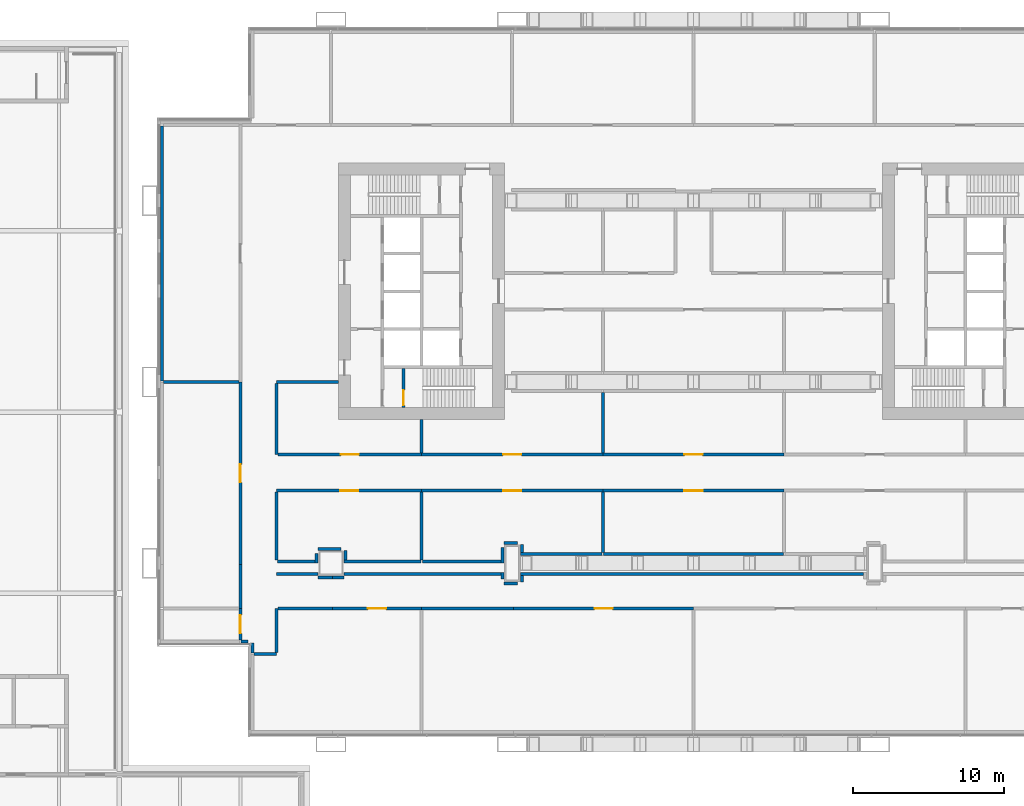
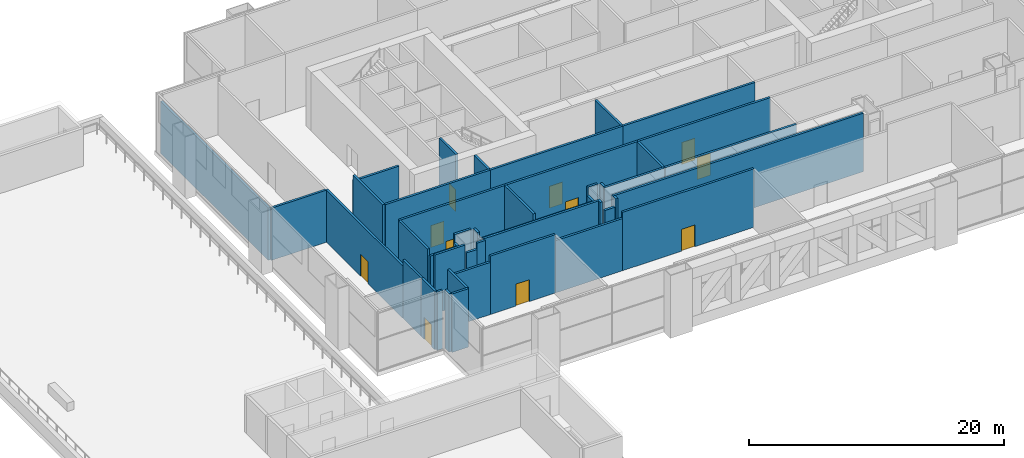
# One storey, part 21 of 27: 46 walls, 11 doors, 11 openings.
"""IFC4 building model written with IfcOpenShell, lengths in metres."""

import ifcopenshell
import ifcopenshell.guid

model = None  # the IFC model being written
_history = None  # IfcOwnerHistory: only IFC2X3 demands one
_inside = {}  # id of a spatial element -> (the spatial element, [elements in it])
_under = {}  # id of a project, library or spatial element -> (it, [spatial elements below it])
_declared = {}  # id of a project -> (the project, [libraries it declares])
_typed = {}  # id of a type object -> (the type object, [elements of that type])
_made_of = {}  # id of a material, layer set ... -> (it, [elements and type objects made of it])


def new_model(schema):
    """Start an empty IFC model of exactly this schema.

    Asked for "IFC4X3", IfcOpenShell would pick the latest addendum, in which some entities
    have other attributes; the version numbers below select the first issue.
    IFC2X3 requires an IfcOwnerHistory on every rooted entity: one is made here for all.
    """
    global model, _history
    if schema == "IFC4X3":
        model = ifcopenshell.file(schema_version=(4, 3, 0, 0))
    else:
        model = ifcopenshell.file(schema=schema)
    _inside.clear()
    _under.clear()
    _declared.clear()
    _typed.clear()
    _made_of.clear()
    _history = None
    if model.schema == "IFC2X3":
        org = make("IfcOrganization", Name="unknown")
        user = make(
            "IfcPersonAndOrganization",
            ThePerson=make("IfcPerson", FamilyName="unknown"),
            TheOrganization=org,
        )
        app = make(
            "IfcApplication",
            ApplicationDeveloper=org,
            Version="unknown",
            ApplicationFullName="unknown",
            ApplicationIdentifier="unknown",
        )
        _history = make(
            "IfcOwnerHistory",
            OwningUser=user,
            OwningApplication=app,
            ChangeAction="ADDED",
            CreationDate=0,
        )
    return model


def make(cls, **values):
    """One entity of the class cls with the attributes given. An attribute that is None is left unset."""
    return model.create_entity(
        cls, **{name: value for name, value in values.items() if value is not None}
    )


def rooted(cls, **values):
    """An entity with a GlobalId (a new one), such as an element, a storey or a relation."""
    return make(cls, GlobalId=ifcopenshell.guid.new(), OwnerHistory=_history, **values)


def si_unit(unit_type, name, prefix=None):
    """IfcSIUnit, for example si_unit("LENGTHUNIT", "METRE", prefix="MILLI")."""
    return make("IfcSIUnit", UnitType=unit_type, Prefix=prefix, Name=name)


def assignment(units):
    """IfcUnitAssignment: the units of a project."""
    return None if units is None else make("IfcUnitAssignment", Units=units)


def point(xyz):
    """IfcCartesianPoint."""
    return None if xyz is None else make("IfcCartesianPoint", Coordinates=xyz)


def direction(xyz):
    """IfcDirection."""
    return None if xyz is None else make("IfcDirection", DirectionRatios=xyz)


def frame(location, z_axis=None, x_axis=None):
    """IfcAxis2Placement3D, a coordinate frame: its origin and axes. An axis left out is left unset."""
    return make(
        "IfcAxis2Placement3D",
        Location=point(location),
        Axis=direction(z_axis),
        RefDirection=direction(x_axis),
    )


def frame_2d(location, x_axis=None):
    """IfcAxis2Placement2D, a coordinate frame in the plane: its origin and x axis."""
    return make(
        "IfcAxis2Placement2D", Location=point(location), RefDirection=direction(x_axis)
    )


def origin():
    """The frame at (0, 0, 0) with its axes left unset."""
    return frame((0.0, 0.0, 0.0))


def place(relative_to, where):
    """IfcLocalPlacement: puts the frame where relative to a parent placement (None: the world)."""
    return make(
        "IfcLocalPlacement", PlacementRelTo=relative_to, RelativePlacement=where
    )


def context(
    kind, dimensions, precision=None, world=None, true_north=None, identifier=None
):
    """IfcGeometricRepresentationContext, for example the 3D "Model" context."""
    return make(
        "IfcGeometricRepresentationContext",
        ContextIdentifier=identifier,
        ContextType=kind,
        CoordinateSpaceDimension=dimensions,
        Precision=precision,
        WorldCoordinateSystem=world,
        TrueNorth=true_north,
    )


def subcontext(parent, identifier, kind, view, scale=None):
    """IfcGeometricRepresentationSubContext, for example "Body" below "Model"."""
    return make(
        "IfcGeometricRepresentationSubContext",
        ContextIdentifier=identifier,
        ContextType=kind,
        ParentContext=parent,
        TargetScale=scale,
        TargetView=view,
    )


def project(units=None, contexts=None):
    """IfcProject with its units and contexts."""
    return rooted(
        "IfcProject",
        Name="project",
        RepresentationContexts=contexts,
        UnitsInContext=assignment(units),
    )


def spatial(cls, under=None, at=None, **own):
    """A site, building, storey or space (cls), placed at a placement, below another one or the project."""
    s = rooted(cls, ObjectPlacement=at, **own)
    if under is not None:
        _under.setdefault(under.id(), (under, []))[1].append(s)
    return s


def profile(cls, at=None, kind="AREA", **sizes):
    """A parametric profile (cls). Its sizes go by their IFC names, for example OverallWidth=200.0."""
    return make(cls, ProfileType=kind, Position=at, **sizes)


def rectangle(**sizes):
    """IfcRectangleProfileDef."""
    return profile("IfcRectangleProfileDef", **sizes)


def extrude(swept, where, along, depth):
    """IfcExtrudedAreaSolid: the profile swept, set in the frame where, extruded along a direction by depth."""
    return make(
        "IfcExtrudedAreaSolid",
        SweptArea=swept,
        Position=where,
        ExtrudedDirection=direction(along),
        Depth=depth,
    )


def shape(context_of_items, identifier, shape_type, items):
    """IfcShapeRepresentation: the items that make up one representation, for example the "Body"."""
    return make(
        "IfcShapeRepresentation",
        ContextOfItems=context_of_items,
        RepresentationIdentifier=identifier,
        RepresentationType=shape_type,
        Items=items,
    )


def material(Name=None, Category=None):
    """IfcMaterial."""
    return make("IfcMaterial", Name=Name, Category=Category)


def layer(
    of_material, thickness, ventilated=None, Name=None, Category=None, Priority=None
):
    """IfcMaterialLayer: one layer of a wall or slab, of a material (None: an air gap)."""
    return make(
        "IfcMaterialLayer",
        Material=of_material,
        LayerThickness=thickness,
        IsVentilated=ventilated,
        Name=Name,
        Category=Category,
        Priority=Priority,
    )


def layer_set(layers, Name=None):
    """IfcMaterialLayerSet."""
    return make("IfcMaterialLayerSet", MaterialLayers=layers, LayerSetName=Name)


def made_of(thing, what):
    """Note that an element or type object is made of a material, layer set ...; save() writes the relation."""
    if what is not None:
        _made_of.setdefault(what.id(), (what, []))[1].append(thing)
    return thing


def type_object(cls, material=None, **own):
    """A type object (cls), such as IfcWallType, which elements share."""
    return made_of(rooted(cls, **own), material)


def element(
    cls,
    number,
    at=None,
    inside=None,
    cuts=None,
    type_object=None,
    material=None,
    context=None,
    identifier="Body",
    shape_type=None,
    held_by="IfcProductDefinitionShape",
    body=None,
    shapes=None,
    **own,
):
    """One element of the class cls, such as IfcWall. Its Tag is "e" and its number.

    at: its placement. inside: the storey or other place that contains it. cuts: it is an
    opening in that element (IfcRelVoidsElement). A single representation is given by context,
    identifier, shape_type and body (its items); several are given by shapes. held_by: the class
    of the entity that holds the representations. save() writes the other relations.
    """
    e = rooted(cls, Tag="e%d" % number, ObjectPlacement=at, **own)
    if body is not None:
        shapes = [shape(context, identifier, shape_type, body)]
    if shapes is not None:
        e.Representation = make(held_by, Representations=shapes)
    if inside is not None:
        _inside.setdefault(inside.id(), (inside, []))[1].append(e)
    if cuts is not None:
        rooted(
            "IfcRelVoidsElement", RelatingBuildingElement=cuts, RelatedOpeningElement=e
        )
    if type_object is not None:
        _typed.setdefault(type_object.id(), (type_object, []))[1].append(e)
    return made_of(e, material)


def fill(opening, filler):
    """IfcRelFillsElement: the door or window that sits in an opening."""
    return rooted(
        "IfcRelFillsElement",
        RelatingOpeningElement=opening,
        RelatedBuildingElement=filler,
    )


def aggregate(whole, parts):
    """IfcRelAggregates: a whole, such as a stair, and the parts it consists of."""
    return rooted("IfcRelAggregates", RelatingObject=whole, RelatedObjects=parts)


def save(model, path):
    """Write the relations noted so far, then the file.

    IfcRelAggregates (storeys below a building ...), IfcRelContainedInSpatialStructure (elements
    in a storey), IfcRelDefinesByType, IfcRelAssociatesMaterial and IfcRelDeclares: one each for
    every whole, place, type object, material and project.
    """
    for whole, parts in _under.values():
        aggregate(whole, parts)
    for where, things in _inside.values():
        rooted(
            "IfcRelContainedInSpatialStructure",
            RelatedElements=things,
            RelatingStructure=where,
        )
    for kind, things in _typed.values():
        rooted("IfcRelDefinesByType", RelatedObjects=things, RelatingType=kind)
    for what, things in _made_of.values():
        rooted("IfcRelAssociatesMaterial", RelatedObjects=things, RelatingMaterial=what)
    for by, libraries in _declared.values():
        rooted("IfcRelDeclares", RelatingContext=by, RelatedDefinitions=libraries)
    model.write(path)


model = new_model("IFC4")

# Units and contexts
model_context = context("Model", 3, precision=1e-05, world=origin(), true_north=direction((0.0, 1.0)))
body_context = subcontext(model_context, "Body", "Model", "MODEL_VIEW")
ifc_project = project(units=[si_unit("LENGTHUNIT", "METRE"), si_unit("AREAUNIT", "SQUARE_METRE"), si_unit("VOLUMEUNIT", "CUBIC_METRE"), si_unit("PLANEANGLEUNIT", "RADIAN"), si_unit("MASSUNIT", "GRAM", prefix="KILO")], contexts=[model_context])

# Site, building, storey
site_placement = place(None, origin())
site = spatial("IfcSite", under=ifc_project, at=site_placement, CompositionType="ELEMENT")
building_placement = place(site_placement, origin())
building = spatial("IfcBuilding", under=site, at=building_placement, Name="Kitamizu Gate Tower and Museum", CompositionType="ELEMENT")
storey_placement = place(building_placement, frame((0.0, 0.0, 24.0)))
storey = spatial("IfcBuildingStorey", under=building, at=storey_placement, Name="L04", CompositionType="ELEMENT", Elevation=24.0)

# Wall, opening, door
ifc_material_1 = material(Name="Gypsum board on galvanised stud")
ifc_layer_1 = layer(ifc_material_1, 0.199951171875)
ifc_layer_set_1 = layer_set([ifc_layer_1], Name="Gypsum board on galvanised stud")
wall_type_1 = type_object("IfcWallType", Name="Partition 200", PredefinedType="PARTITIONING", material=ifc_layer_set_1)
wall_1_placement = place(storey_placement, frame((6.0, 24.0, 0.0), z_axis=(0.0, 0.0, 1.0), x_axis=(0.0, -1.0, 0.0)))
wall_1 = element("IfcWall", 1, at=wall_1_placement, inside=storey, type_object=wall_type_1, Name="Partition L04-001", PredefinedType="PARTITIONING", context=body_context, shape_type="SweptSolid", body=[
    extrude(rectangle(XDim=12.10009765625, YDim=0.199951171875, at=frame_2d((6.050048828125, 0.0))), origin(), (0.0, 0.0, 1.0), 5.0),
])
opening_1_placement = place(wall_1_placement, frame((5.449951171875, 0.0, 0.0)))
opening_1 = element("IfcOpeningElement", 2, at=opening_1_placement, cuts=wall_1, Name="Opening L04-001", PredefinedType="OPENING", context=body_context, shape_type="SweptSolid", body=[
    extrude(rectangle(XDim=1.199951171875, YDim=2.10009765625, at=frame_2d((0.60009765625, 1.050048828125))), frame((0.0, 0.10986328125, 0.0), z_axis=(0.0, -1.0, 0.0), x_axis=(1.0, 0.0, 0.0)), (0.0, 0.0, 1.0), 0.219970703125),
])
ifc_material_2 = material(Name="Timber door set", Category="wood")
door_type_1 = type_object("IfcDoorType", Name="Plant room door 1200", OperationType="DOUBLE_DOOR_SINGLE_SWING", PredefinedType="DOOR", material=ifc_material_2)
door_1_placement = place(opening_1_placement, origin())
door_1 = element("IfcDoor", 3, at=door_1_placement, inside=storey, type_object=door_type_1, Name="Plant room door L04-001", OperationType="DOUBLE_DOOR_SINGLE_SWING", OverallHeight=2.10009765625, OverallWidth=1.199951171875, PredefinedType="DOOR", context=body_context, shape_type="SweptSolid", body=[
    extrude(rectangle(XDim=1.199951171875, YDim=2.10009765625, at=frame_2d((0.60009765625, 1.050048828125))), frame((0.0, 0.02490234375, 0.0), z_axis=(0.0, -1.0, 0.0), x_axis=(1.0, 0.0, 0.0)), (0.0, 0.0, 1.0), 0.050048828125),
])
fill(opening_1, door_1)

# Walls
wall_2_placement = place(storey_placement, frame((6.0, 11.89990234375, 0.0), z_axis=(0.0, 0.0, 1.0), x_axis=(0.0, -1.0, 0.0)))
element("IfcWall", 4, at=wall_2_placement, inside=storey, type_object=wall_type_1, Name="Partition L04-002", PredefinedType="PARTITIONING", context=body_context, shape_type="SweptSolid", body=[
    extrude(rectangle(XDim=2.89990234375, YDim=0.199951171875, at=frame_2d((1.449951171875, 0.0))), origin(), (0.0, 0.0, 1.0), 5.60009765625),
])
wall_3_placement = place(storey_placement, frame((6.919921875, 6.0, 0.0), z_axis=(0.0, 0.0, 1.0), x_axis=(1.0, 0.0, 0.0)))
element("IfcWall", 5, at=wall_3_placement, inside=storey, type_object=wall_type_1, Name="Partition L04-007", PredefinedType="PARTITIONING", context=body_context, shape_type="SweptSolid", body=[
    extrude(rectangle(XDim=1.47998046875, YDim=0.199951171875, at=frame_2d((0.739990234375, 0.0))), origin(), (0.0, 0.0, 1.0), 5.60009765625),
])
wall_4_placement = place(storey_placement, frame((8.39990234375, 6.10009765625, 0.0), z_axis=(0.0, 0.0, 1.0), x_axis=(0.0, 1.0, 0.0)))
element("IfcWall", 6, at=wall_4_placement, inside=storey, type_object=wall_type_1, Name="Partition L04-008", PredefinedType="PARTITIONING", context=body_context, shape_type="SweptSolid", body=[
    extrude(rectangle(XDim=2.89990234375, YDim=0.199951171875, at=frame_2d((1.449951171875, 0.0))), origin(), (0.0, 0.0, 1.0), 5.60009765625),
])
wall_5_placement = place(storey_placement, frame((8.5, 9.0, 0.0), z_axis=(0.0, 0.0, 1.0), x_axis=(1.0, 0.0, 0.0)))
element("IfcWall", 7, at=wall_5_placement, inside=storey, type_object=wall_type_1, Name="Partition L04-009", PredefinedType="PARTITIONING", context=body_context, shape_type="SweptSolid", body=[
    extrude(rectangle(XDim=3.60009765625, YDim=0.199951171875, at=frame_2d((1.800048828125, 0.0))), origin(), (0.0, 0.0, 1.0), 5.0),
])

# Wall, opening, door
wall_6_placement = place(storey_placement, frame((12.10009765625, 9.0, 0.0), z_axis=(0.0, 0.0, 1.0), x_axis=(1.0, 0.0, 0.0)))
wall_6 = element("IfcWall", 8, at=wall_6_placement, inside=storey, type_object=wall_type_1, Name="Partition L04-010", PredefinedType="PARTITIONING", context=body_context, shape_type="SweptSolid", body=[
    extrude(rectangle(XDim=5.89990234375, YDim=0.199951171875, at=frame_2d((2.949951171875, 0.0))), origin(), (0.0, 0.0, 1.0), 5.60009765625),
])
opening_2_placement = place(wall_6_placement, frame((2.35009765625, 0.0, 0.0)))
opening_2 = element("IfcOpeningElement", 9, at=opening_2_placement, cuts=wall_6, Name="Opening L04-005", PredefinedType="OPENING", context=body_context, shape_type="SweptSolid", body=[
    extrude(rectangle(XDim=1.199951171875, YDim=2.10009765625, at=frame_2d((0.60009765625, 1.050048828125))), frame((0.0, 0.10986328125, 0.0), z_axis=(0.0, -1.0, 0.0), x_axis=(1.0, 0.0, 0.0)), (0.0, 0.0, 1.0), 0.219970703125),
])
door_2_placement = place(opening_2_placement, origin())
door_2 = element("IfcDoor", 10, at=door_2_placement, inside=storey, type_object=door_type_1, Name="Plant room door L04-005", OperationType="DOUBLE_DOOR_SINGLE_SWING", OverallHeight=2.10009765625, OverallWidth=1.199951171875, PredefinedType="DOOR", context=body_context, shape_type="SweptSolid", body=[
    extrude(rectangle(XDim=1.199951171875, YDim=2.10009765625, at=frame_2d((0.60009765625, 1.050048828125))), frame((0.0, 0.02490234375, 0.0), z_axis=(0.0, -1.0, 0.0), x_axis=(1.0, 0.0, 0.0)), (0.0, 0.0, 1.0), 0.050048828125),
])
fill(opening_2, door_2)

wall_7_placement = place(storey_placement, frame((6.0, 9.0, 0.0), z_axis=(0.0, 0.0, 1.0), x_axis=(0.0, -1.0, 0.0)))
wall_7 = element("IfcWall", 11, at=wall_7_placement, inside=storey, type_object=wall_type_1, Name="Partition L04-011", PredefinedType="PARTITIONING", context=body_context, shape_type="SweptSolid", body=[
    extrude(rectangle(XDim=2.080078125, YDim=0.199951171875, at=frame_2d((1.0400390625, 0.0))), origin(), (0.0, 0.0, 1.0), 5.60009765625),
])
opening_3_placement = place(wall_7_placement, frame((0.43994140625, 0.0, 0.0)))
opening_3 = element("IfcOpeningElement", 12, at=opening_3_placement, cuts=wall_7, Name="Opening L04-006", PredefinedType="OPENING", context=body_context, shape_type="SweptSolid", body=[
    extrude(rectangle(XDim=1.199951171875, YDim=2.10009765625, at=frame_2d((0.60009765625, 1.050048828125))), frame((0.0, 0.10986328125, 0.0), z_axis=(0.0, -1.0, 0.0), x_axis=(1.0, 0.0, 0.0)), (0.0, 0.0, 1.0), 0.219970703125),
])
door_3_placement = place(opening_3_placement, origin())
door_3 = element("IfcDoor", 13, at=door_3_placement, inside=storey, type_object=door_type_1, Name="Plant room door L04-006", OperationType="DOUBLE_DOOR_SINGLE_SWING", OverallHeight=2.10009765625, OverallWidth=1.199951171875, PredefinedType="DOOR", context=body_context, shape_type="SweptSolid", body=[
    extrude(rectangle(XDim=1.199951171875, YDim=2.10009765625, at=frame_2d((0.60009765625, 1.050048828125))), frame((0.0, 0.02490234375, 0.0), z_axis=(0.0, -1.0, 0.0), x_axis=(1.0, 0.0, 0.0)), (0.0, 0.0, 1.0), 0.050048828125),
])
fill(opening_3, door_3)

# Wall
wall_8_placement = place(storey_placement, frame((18.0, 9.0, 0.0), z_axis=(0.0, 0.0, 1.0), x_axis=(1.0, 0.0, 0.0)))
element("IfcWall", 14, at=wall_8_placement, inside=storey, type_object=wall_type_1, Name="Partition L04-012", PredefinedType="PARTITIONING", context=body_context, shape_type="SweptSolid", body=[
    extrude(rectangle(XDim=6.10009765625, YDim=0.199951171875, at=frame_2d((3.050048828125, 0.0))), origin(), (0.0, 0.0, 1.0), 5.0),
])

# Wall, opening, door
wall_9_placement = place(storey_placement, frame((24.10009765625, 9.0, 0.0), z_axis=(0.0, 0.0, 1.0), x_axis=(1.0, 0.0, 0.0)))
wall_9 = element("IfcWall", 15, at=wall_9_placement, inside=storey, type_object=wall_type_1, Name="Partition L04-013", PredefinedType="PARTITIONING", context=body_context, shape_type="SweptSolid", body=[
    extrude(rectangle(XDim=11.89990234375, YDim=0.199951171875, at=frame_2d((5.949951171875, 0.0))), origin(), (0.0, 0.0, 1.0), 5.60009765625),
])
opening_4_placement = place(wall_9_placement, frame((5.35009765625, 0.0, 0.0)))
opening_4 = element("IfcOpeningElement", 16, at=opening_4_placement, cuts=wall_9, Name="Opening L04-007", PredefinedType="OPENING", context=body_context, shape_type="SweptSolid", body=[
    extrude(rectangle(XDim=1.199951171875, YDim=2.10009765625, at=frame_2d((0.60009765625, 1.050048828125))), frame((0.0, 0.10986328125, 0.0), z_axis=(0.0, -1.0, 0.0), x_axis=(1.0, 0.0, 0.0)), (0.0, 0.0, 1.0), 0.219970703125),
])
door_4_placement = place(opening_4_placement, origin())
door_4 = element("IfcDoor", 17, at=door_4_placement, inside=storey, type_object=door_type_1, Name="Plant room door L04-007", OperationType="DOUBLE_DOOR_SINGLE_SWING", OverallHeight=2.10009765625, OverallWidth=1.199951171875, PredefinedType="DOOR", context=body_context, shape_type="SweptSolid", body=[
    extrude(rectangle(XDim=1.199951171875, YDim=2.10009765625, at=frame_2d((0.60009765625, 1.050048828125))), frame((0.0, 0.02490234375, 0.0), z_axis=(0.0, -1.0, 0.0), x_axis=(1.0, 0.0, 0.0)), (0.0, 0.0, 1.0), 0.050048828125),
])
fill(opening_4, door_4)

wall_10_placement = place(storey_placement, frame((18.0, 16.800048828125, 0.0), z_axis=(0.0, 0.0, 1.0), x_axis=(-1.0, 0.0, 0.0)))
wall_10 = element("IfcWall", 18, at=wall_10_placement, inside=storey, type_object=wall_type_1, Name="Partition L04-021", PredefinedType="PARTITIONING", context=body_context, shape_type="SweptSolid", body=[
    extrude(rectangle(XDim=9.60009765625, YDim=0.199951171875, at=frame_2d((4.800048828125, 0.0))), origin(), (0.0, 0.0, 1.0), 5.60009765625),
])
opening_5_placement = place(wall_10_placement, frame((4.199951171875, 0.0, 0.0)))
opening_5 = element("IfcOpeningElement", 19, at=opening_5_placement, cuts=wall_10, Name="Opening L04-011", PredefinedType="OPENING", context=body_context, shape_type="SweptSolid", body=[
    extrude(rectangle(XDim=1.199951171875, YDim=2.10009765625, at=frame_2d((0.60009765625, 1.050048828125))), frame((0.0, 0.10986328125, 0.0), z_axis=(0.0, -1.0, 0.0), x_axis=(1.0, 0.0, 0.0)), (0.0, 0.0, 1.0), 0.219970703125),
])
door_5_placement = place(opening_5_placement, origin())
door_5 = element("IfcDoor", 20, at=door_5_placement, inside=storey, type_object=door_type_1, Name="Plant room door L04-011", OperationType="DOUBLE_DOOR_SINGLE_SWING", OverallHeight=2.10009765625, OverallWidth=1.199951171875, PredefinedType="DOOR", context=body_context, shape_type="SweptSolid", body=[
    extrude(rectangle(XDim=1.199951171875, YDim=2.10009765625, at=frame_2d((0.60009765625, 1.050048828125))), frame((0.0, 0.02490234375, 0.0), z_axis=(0.0, -1.0, 0.0), x_axis=(1.0, 0.0, 0.0)), (0.0, 0.0, 1.0), 0.050048828125),
])
fill(opening_5, door_5)

# Wall
wall_11_placement = place(storey_placement, frame((8.39990234375, 16.699951171875, 0.0), z_axis=(0.0, 0.0, 1.0), x_axis=(0.0, -1.0, 0.0)))
element("IfcWall", 21, at=wall_11_placement, inside=storey, type_object=wall_type_1, Name="Partition L04-022", PredefinedType="PARTITIONING", context=body_context, shape_type="SweptSolid", body=[
    extrude(rectangle(XDim=4.5, YDim=0.199951171875, at=frame_2d((2.25, 0.0))), origin(), (0.0, 0.0, 1.0), 5.60009765625),
])

# Wall, opening, door
wall_12_placement = place(storey_placement, frame((30.0, 16.800048828125, 0.0), z_axis=(0.0, 0.0, 1.0), x_axis=(-1.0, 0.0, 0.0)))
wall_12 = element("IfcWall", 22, at=wall_12_placement, inside=storey, type_object=wall_type_1, Name="Partition L04-023", PredefinedType="PARTITIONING", context=body_context, shape_type="SweptSolid", body=[
    extrude(rectangle(XDim=12.0, YDim=0.199951171875, at=frame_2d((6.0, 0.0))), origin(), (0.0, 0.0, 1.0), 5.60009765625),
])
opening_6_placement = place(wall_12_placement, frame((5.39990234375, 0.0, 0.0)))
opening_6 = element("IfcOpeningElement", 23, at=opening_6_placement, cuts=wall_12, Name="Opening L04-012", PredefinedType="OPENING", context=body_context, shape_type="SweptSolid", body=[
    extrude(rectangle(XDim=1.199951171875, YDim=2.10009765625, at=frame_2d((0.60009765625, 1.050048828125))), frame((0.0, 0.10986328125, 0.0), z_axis=(0.0, -1.0, 0.0), x_axis=(1.0, 0.0, 0.0)), (0.0, 0.0, 1.0), 0.219970703125),
])
door_6_placement = place(opening_6_placement, origin())
door_6 = element("IfcDoor", 24, at=door_6_placement, inside=storey, type_object=door_type_1, Name="Plant room door L04-012", OperationType="DOUBLE_DOOR_SINGLE_SWING", OverallHeight=2.10009765625, OverallWidth=1.199951171875, PredefinedType="DOOR", context=body_context, shape_type="SweptSolid", body=[
    extrude(rectangle(XDim=1.199951171875, YDim=2.10009765625, at=frame_2d((0.60009765625, 1.050048828125))), frame((0.0, 0.02490234375, 0.0), z_axis=(0.0, -1.0, 0.0), x_axis=(1.0, 0.0, 0.0)), (0.0, 0.0, 1.0), 0.050048828125),
])
fill(opening_6, door_6)

wall_13_placement = place(storey_placement, frame((42.0, 16.800048828125, 0.0), z_axis=(0.0, 0.0, 1.0), x_axis=(-1.0, 0.0, 0.0)))
wall_13 = element("IfcWall", 25, at=wall_13_placement, inside=storey, type_object=wall_type_1, Name="Partition L04-024", PredefinedType="PARTITIONING", context=body_context, shape_type="SweptSolid", body=[
    extrude(rectangle(XDim=12.0, YDim=0.199951171875, at=frame_2d((6.0, 0.0))), origin(), (0.0, 0.0, 1.0), 5.60009765625),
])
opening_7_placement = place(wall_13_placement, frame((5.39990234375, 0.0, 0.0)))
opening_7 = element("IfcOpeningElement", 26, at=opening_7_placement, cuts=wall_13, Name="Opening L04-013", PredefinedType="OPENING", context=body_context, shape_type="SweptSolid", body=[
    extrude(rectangle(XDim=1.199951171875, YDim=2.10009765625, at=frame_2d((0.60009765625, 1.050048828125))), frame((0.0, 0.10986328125, 0.0), z_axis=(0.0, -1.0, 0.0), x_axis=(1.0, 0.0, 0.0)), (0.0, 0.0, 1.0), 0.219970703125),
])
door_7_placement = place(opening_7_placement, origin())
door_7 = element("IfcDoor", 27, at=door_7_placement, inside=storey, type_object=door_type_1, Name="Plant room door L04-013", OperationType="DOUBLE_DOOR_SINGLE_SWING", OverallHeight=2.10009765625, OverallWidth=1.199951171875, PredefinedType="DOOR", context=body_context, shape_type="SweptSolid", body=[
    extrude(rectangle(XDim=1.199951171875, YDim=2.10009765625, at=frame_2d((0.60009765625, 1.050048828125))), frame((0.0, 0.02490234375, 0.0), z_axis=(0.0, -1.0, 0.0), x_axis=(1.0, 0.0, 0.0)), (0.0, 0.0, 1.0), 0.050048828125),
])
fill(opening_7, door_7)

# Walls
wall_14_placement = place(storey_placement, frame((12.5, 24.0, 0.0), z_axis=(0.0, 0.0, 1.0), x_axis=(-1.0, 0.0, 0.0)))
element("IfcWall", 28, at=wall_14_placement, inside=storey, type_object=wall_type_1, Name="Partition L04-028", PredefinedType="PARTITIONING", context=body_context, shape_type="SweptSolid", body=[
    extrude(rectangle(XDim=4.10009765625, YDim=0.199951171875, at=frame_2d((2.050048828125, 0.0))), origin(), (0.0, 0.0, 1.0), 5.0),
])
wall_15_placement = place(storey_placement, frame((8.39990234375, 23.89990234375, 0.0), z_axis=(0.0, 0.0, 1.0), x_axis=(0.0, -1.0, 0.0)))
element("IfcWall", 29, at=wall_15_placement, inside=storey, type_object=wall_type_1, Name="Partition L04-029", PredefinedType="PARTITIONING", context=body_context, shape_type="SweptSolid", body=[
    extrude(rectangle(XDim=4.699951171875, YDim=0.199951171875, at=frame_2d((2.35009765625, 0.0))), origin(), (0.0, 0.0, 1.0), 5.60009765625),
])

# Wall, opening, door
wall_16_placement = place(storey_placement, frame((8.5, 19.199951171875, 0.0), z_axis=(0.0, 0.0, 1.0), x_axis=(1.0, 0.0, 0.0)))
wall_16 = element("IfcWall", 30, at=wall_16_placement, inside=storey, type_object=wall_type_1, Name="Partition L04-030", PredefinedType="PARTITIONING", context=body_context, shape_type="SweptSolid", body=[
    extrude(rectangle(XDim=9.5, YDim=0.199951171875, at=frame_2d((4.75, 0.0))), origin(), (0.0, 0.0, 1.0), 5.60009765625),
])
opening_8_placement = place(wall_16_placement, frame((4.14990234375, 0.0, 0.0)))
opening_8 = element("IfcOpeningElement", 31, at=opening_8_placement, cuts=wall_16, Name="Opening L04-016", PredefinedType="OPENING", context=body_context, shape_type="SweptSolid", body=[
    extrude(rectangle(XDim=1.199951171875, YDim=2.10009765625, at=frame_2d((0.60009765625, 1.050048828125))), frame((0.0, 0.10986328125, 0.0), z_axis=(0.0, -1.0, 0.0), x_axis=(1.0, 0.0, 0.0)), (0.0, 0.0, 1.0), 0.219970703125),
])
door_8_placement = place(opening_8_placement, origin())
door_8 = element("IfcDoor", 32, at=door_8_placement, inside=storey, type_object=door_type_1, Name="Plant room door L04-016", OperationType="DOUBLE_DOOR_SINGLE_SWING", OverallHeight=2.10009765625, OverallWidth=1.199951171875, PredefinedType="DOOR", context=body_context, shape_type="SweptSolid", body=[
    extrude(rectangle(XDim=1.199951171875, YDim=2.10009765625, at=frame_2d((0.60009765625, 1.050048828125))), frame((0.0, 0.02490234375, 0.0), z_axis=(0.0, -1.0, 0.0), x_axis=(1.0, 0.0, 0.0)), (0.0, 0.0, 1.0), 0.050048828125),
])
fill(opening_8, door_8)

wall_17_placement = place(storey_placement, frame((18.0, 19.199951171875, 0.0), z_axis=(0.0, 0.0, 1.0), x_axis=(1.0, 0.0, 0.0)))
wall_17 = element("IfcWall", 33, at=wall_17_placement, inside=storey, type_object=wall_type_1, Name="Partition L04-031", PredefinedType="PARTITIONING", context=body_context, shape_type="SweptSolid", body=[
    extrude(rectangle(XDim=12.0, YDim=0.199951171875, at=frame_2d((6.0, 0.0))), origin(), (0.0, 0.0, 1.0), 5.60009765625),
])
opening_9_placement = place(wall_17_placement, frame((5.39990234375, 0.0, 0.0)))
opening_9 = element("IfcOpeningElement", 34, at=opening_9_placement, cuts=wall_17, Name="Opening L04-017", PredefinedType="OPENING", context=body_context, shape_type="SweptSolid", body=[
    extrude(rectangle(XDim=1.199951171875, YDim=2.10009765625, at=frame_2d((0.60009765625, 1.050048828125))), frame((0.0, 0.10986328125, 0.0), z_axis=(0.0, -1.0, 0.0), x_axis=(1.0, 0.0, 0.0)), (0.0, 0.0, 1.0), 0.219970703125),
])
door_9_placement = place(opening_9_placement, origin())
door_9 = element("IfcDoor", 35, at=door_9_placement, inside=storey, type_object=door_type_1, Name="Plant room door L04-017", OperationType="DOUBLE_DOOR_SINGLE_SWING", OverallHeight=2.10009765625, OverallWidth=1.199951171875, PredefinedType="DOOR", context=body_context, shape_type="SweptSolid", body=[
    extrude(rectangle(XDim=1.199951171875, YDim=2.10009765625, at=frame_2d((0.60009765625, 1.050048828125))), frame((0.0, 0.02490234375, 0.0), z_axis=(0.0, -1.0, 0.0), x_axis=(1.0, 0.0, 0.0)), (0.0, 0.0, 1.0), 0.050048828125),
])
fill(opening_9, door_9)

wall_18_placement = place(storey_placement, frame((30.0, 19.199951171875, 0.0), z_axis=(0.0, 0.0, 1.0), x_axis=(1.0, 0.0, 0.0)))
wall_18 = element("IfcWall", 36, at=wall_18_placement, inside=storey, type_object=wall_type_1, Name="Partition L04-032", PredefinedType="PARTITIONING", context=body_context, shape_type="SweptSolid", body=[
    extrude(rectangle(XDim=12.0, YDim=0.199951171875, at=frame_2d((6.0, 0.0))), origin(), (0.0, 0.0, 1.0), 5.60009765625),
])
opening_10_placement = place(wall_18_placement, frame((5.39990234375, 0.0, 0.0)))
opening_10 = element("IfcOpeningElement", 37, at=opening_10_placement, cuts=wall_18, Name="Opening L04-018", PredefinedType="OPENING", context=body_context, shape_type="SweptSolid", body=[
    extrude(rectangle(XDim=1.199951171875, YDim=2.10009765625, at=frame_2d((0.60009765625, 1.050048828125))), frame((0.0, 0.10986328125, 0.0), z_axis=(0.0, -1.0, 0.0), x_axis=(1.0, 0.0, 0.0)), (0.0, 0.0, 1.0), 0.219970703125),
])
door_10_placement = place(opening_10_placement, origin())
door_10 = element("IfcDoor", 38, at=door_10_placement, inside=storey, type_object=door_type_1, Name="Plant room door L04-018", OperationType="DOUBLE_DOOR_SINGLE_SWING", OverallHeight=2.10009765625, OverallWidth=1.199951171875, PredefinedType="DOOR", context=body_context, shape_type="SweptSolid", body=[
    extrude(rectangle(XDim=1.199951171875, YDim=2.10009765625, at=frame_2d((0.60009765625, 1.050048828125))), frame((0.0, 0.02490234375, 0.0), z_axis=(0.0, -1.0, 0.0), x_axis=(1.0, 0.0, 0.0)), (0.0, 0.0, 1.0), 0.050048828125),
])
fill(opening_10, door_10)

# Walls
wall_19_placement = place(storey_placement, frame((5.89990234375, 24.0, 0.0), z_axis=(0.0, 0.0, 1.0), x_axis=(-1.0, 0.0, 0.0)))
element("IfcWall", 39, at=wall_19_placement, inside=storey, type_object=wall_type_1, Name="Partition L04-052", PredefinedType="PARTITIONING", context=body_context, shape_type="SweptSolid", body=[
    extrude(rectangle(XDim=4.97998046875, YDim=0.199951171875, at=frame_2d((2.489990234375, 0.0))), origin(), (0.0, 0.0, 1.0), 5.0),
])
wall_20_placement = place(storey_placement, frame((18.0, 12.199951171875, 0.0), z_axis=(0.0, 0.0, 1.0), x_axis=(0.0, 1.0, 0.0)))
element("IfcWall", 40, at=wall_20_placement, inside=storey, type_object=wall_type_1, Name="Partition L04-061", PredefinedType="PARTITIONING", context=body_context, shape_type="SweptSolid", body=[
    extrude(rectangle(XDim=4.5, YDim=0.199951171875, at=frame_2d((2.25, 0.0))), origin(), (0.0, 0.0, 1.0), 5.60009765625),
])
wall_21_placement = place(storey_placement, frame((30.0, 12.699951171875, 0.0), z_axis=(0.0, 0.0, 1.0), x_axis=(0.0, 1.0, 0.0)))
element("IfcWall", 41, at=wall_21_placement, inside=storey, type_object=wall_type_1, Name="Partition L04-062", PredefinedType="PARTITIONING", context=body_context, shape_type="SweptSolid", body=[
    extrude(rectangle(XDim=4.0, YDim=0.199951171875, at=frame_2d((2.0, 0.0))), origin(), (0.0, 0.0, 1.0), 5.60009765625),
])
wall_22_placement = place(storey_placement, frame((18.0, 19.300048828125, 0.0), z_axis=(0.0, 0.0, 1.0), x_axis=(0.0, 1.0, 0.0)))
element("IfcWall", 42, at=wall_22_placement, inside=storey, type_object=wall_type_1, Name="Partition L04-065", PredefinedType="PARTITIONING", context=body_context, shape_type="SweptSolid", body=[
    extrude(rectangle(XDim=2.199951171875, YDim=0.199951171875, at=frame_2d((1.10009765625, 0.0))), origin(), (0.0, 0.0, 1.0), 5.60009765625),
])
wall_23_placement = place(storey_placement, frame((30.0, 19.300048828125, 0.0), z_axis=(0.0, 0.0, 1.0), x_axis=(0.0, 1.0, 0.0)))
element("IfcWall", 43, at=wall_23_placement, inside=storey, type_object=wall_type_1, Name="Partition L04-066", PredefinedType="PARTITIONING", context=body_context, shape_type="SweptSolid", body=[
    extrude(rectangle(XDim=4.0, YDim=0.199951171875, at=frame_2d((2.0, 0.0))), origin(), (0.0, 0.0, 1.0), 5.60009765625),
])
wall_24_placement = place(storey_placement, frame((6.050048828125, 6.820068359375, 0.0), z_axis=(0.0, 0.0, 1.0), x_axis=(1.0, 0.0, 0.0)))
element("IfcWall", 44, at=wall_24_placement, inside=storey, type_object=wall_type_1, Name="Partition L04-078", PredefinedType="PARTITIONING", context=body_context, shape_type="SweptSolid", body=[
    extrude(rectangle(XDim=0.469970703125, YDim=0.199951171875, at=frame_2d((0.23486328125, 0.0))), origin(), (0.0, 0.0, 1.0), 5.60009765625),
])
wall_25_placement = place(storey_placement, frame((6.820068359375, 6.719970703125, 0.0), z_axis=(0.0, 0.0, 1.0), x_axis=(0.0, -1.0, 0.0)))
element("IfcWall", 45, at=wall_25_placement, inside=storey, type_object=wall_type_1, Name="Partition L04-078", PredefinedType="PARTITIONING", context=body_context, shape_type="SweptSolid", body=[
    extrude(rectangle(XDim=0.669921875, YDim=0.199951171875, at=frame_2d((0.3349609375, 0.0))), origin(), (0.0, 0.0, 1.0), 5.60009765625),
])
wall_26_placement = place(storey_placement, frame((11.14990234375, 11.050048828125, 0.0), z_axis=(0.0, 0.0, 1.0), x_axis=(1.0, 0.0, 0.0)))
element("IfcWall", 46, at=wall_26_placement, inside=storey, type_object=wall_type_1, Name="Partition L04-078", PredefinedType="PARTITIONING", context=body_context, shape_type="SweptSolid", body=[
    extrude(rectangle(XDim=0.9501953125, YDim=0.199951171875, at=frame_2d((0.47509765625, 0.0))), origin(), (0.0, 0.0, 1.0), 5.0),
])
wall_27_placement = place(storey_placement, frame((12.10009765625, 11.050048828125, 0.0), z_axis=(0.0, 0.0, 1.0), x_axis=(1.0, 0.0, 0.0)))
element("IfcWall", 47, at=wall_27_placement, inside=storey, type_object=wall_type_1, Name="Partition L04-078", PredefinedType="PARTITIONING", context=body_context, shape_type="SweptSolid", body=[
    extrude(rectangle(XDim=0.75, YDim=0.199951171875, at=frame_2d((0.375, 0.0))), origin(), (0.0, 0.0, 1.0), 5.60009765625),
])
wall_28_placement = place(storey_placement, frame((12.85009765625, 11.300048828125, 0.0), z_axis=(0.0, 0.0, 1.0), x_axis=(1.0, 0.0, 0.0)))
element("IfcWall", 48, at=wall_28_placement, inside=storey, type_object=wall_type_1, Name="Partition L04-078", PredefinedType="PARTITIONING", context=body_context, shape_type="SweptSolid", body=[
    extrude(rectangle(XDim=10.39990234375, YDim=0.199951171875, at=frame_2d((5.199951171875, 0.0))), origin(), (0.0, 0.0, 1.0), 5.60009765625),
])
wall_29_placement = place(storey_placement, frame((23.35009765625, 11.39990234375, 0.0), z_axis=(0.0, 0.0, 1.0), x_axis=(0.0, -1.0, 0.0)))
element("IfcWall", 49, at=wall_29_placement, inside=storey, type_object=wall_type_1, Name="Partition L04-078", PredefinedType="PARTITIONING", context=body_context, shape_type="SweptSolid", body=[
    extrude(rectangle(XDim=0.449951171875, YDim=0.199951171875, at=frame_2d((0.22509765625, 0.0))), origin(), (0.0, 0.0, 1.0), 5.60009765625),
])
wall_30_placement = place(storey_placement, frame((23.449951171875, 10.64990234375, 0.0), z_axis=(0.0, 0.0, 1.0), x_axis=(1.0, 0.0, 0.0)))
element("IfcWall", 50, at=wall_30_placement, inside=storey, type_object=wall_type_1, Name="Partition L04-078", PredefinedType="PARTITIONING", context=body_context, shape_type="SweptSolid", body=[
    extrude(rectangle(XDim=0.900146484375, YDim=0.199951171875, at=frame_2d((0.4501953125, 0.0))), origin(), (0.0, 0.0, 1.0), 5.0),
])
wall_31_placement = place(storey_placement, frame((24.64990234375, 10.75, 0.0), z_axis=(0.0, 0.0, 1.0), x_axis=(0.0, 1.0, 0.0)))
element("IfcWall", 51, at=wall_31_placement, inside=storey, type_object=wall_type_1, Name="Partition L04-078", PredefinedType="PARTITIONING", context=body_context, shape_type="SweptSolid", body=[
    extrude(rectangle(XDim=0.449951171875, YDim=0.199951171875, at=frame_2d((0.22509765625, 0.0))), origin(), (0.0, 0.0, 1.0), 5.60009765625),
])
wall_32_placement = place(storey_placement, frame((24.550048828125, 11.300048828125, 0.0), z_axis=(0.0, 0.0, 1.0), x_axis=(1.0, 0.0, 0.0)))
element("IfcWall", 52, at=wall_32_placement, inside=storey, type_object=wall_type_1, Name="Partition L04-078", PredefinedType="PARTITIONING", context=body_context, shape_type="SweptSolid", body=[
    extrude(rectangle(XDim=22.699951171875, YDim=0.199951171875, at=frame_2d((11.35009765625, 0.0))), origin(), (0.0, 0.0, 1.0), 5.60009765625),
])
wall_33_placement = place(storey_placement, frame((8.39990234375, 11.300048828125, 0.0), z_axis=(0.0, 0.0, 1.0), x_axis=(1.0, 0.0, 0.0)))
element("IfcWall", 53, at=wall_33_placement, inside=storey, type_object=wall_type_1, Name="Partition L04-078", PredefinedType="PARTITIONING", context=body_context, shape_type="SweptSolid", body=[
    extrude(rectangle(XDim=2.75, YDim=0.199951171875, at=frame_2d((1.375, 0.0))), origin(), (0.0, 0.0, 1.0), 5.60009765625),
])
wall_34_placement = place(storey_placement, frame((0.820068359375, 40.949951171875, 0.0), z_axis=(0.0, 0.0, 1.0), x_axis=(0.0, -1.0, 0.0)))
element("IfcWall", 54, at=wall_34_placement, inside=storey, type_object=wall_type_1, Name="Partition L04-078", PredefinedType="PARTITIONING", context=body_context, shape_type="SweptSolid", body=[
    extrude(rectangle(XDim=16.89990234375, YDim=0.199951171875, at=frame_2d((8.449951171875, 0.0))), origin(), (0.0, 0.0, 1.0), 5.0),
])
wall_35_placement = place(storey_placement, frame((8.449951171875, 12.10009765625, 0.0), z_axis=(0.0, 0.0, 1.0), x_axis=(1.0, 0.0, 0.0)))
element("IfcWall", 55, at=wall_35_placement, inside=storey, type_object=wall_type_1, Name="Partition L04-078", PredefinedType="PARTITIONING", context=body_context, shape_type="SweptSolid", body=[
    extrude(rectangle(XDim=2.5, YDim=0.199951171875, at=frame_2d((1.25, 0.0))), origin(), (0.0, 0.0, 1.0), 5.0),
])
wall_36_placement = place(storey_placement, frame((11.050048828125, 12.0, 0.0), z_axis=(0.0, 0.0, 1.0), x_axis=(0.0, 1.0, 0.0)))
element("IfcWall", 56, at=wall_36_placement, inside=storey, type_object=wall_type_1, Name="Partition L04-078", PredefinedType="PARTITIONING", context=body_context, shape_type="SweptSolid", body=[
    extrude(rectangle(XDim=0.64990234375, YDim=0.199951171875, at=frame_2d((0.324951171875, 0.0))), origin(), (0.0, 0.0, 1.0), 5.0),
])
wall_37_placement = place(storey_placement, frame((11.14990234375, 12.949951171875, 0.0), z_axis=(0.0, 0.0, 1.0), x_axis=(1.0, 0.0, 0.0)))
element("IfcWall", 57, at=wall_37_placement, inside=storey, type_object=wall_type_1, Name="Partition L04-078", PredefinedType="PARTITIONING", context=body_context, shape_type="SweptSolid", body=[
    extrude(rectangle(XDim=1.5, YDim=0.199951171875, at=frame_2d((0.75, 0.0))), origin(), (0.0, 0.0, 1.0), 5.60009765625),
])
wall_38_placement = place(storey_placement, frame((12.949951171875, 12.85009765625, 0.0), z_axis=(0.0, 0.0, 1.0), x_axis=(0.0, -1.0, 0.0)))
element("IfcWall", 58, at=wall_38_placement, inside=storey, type_object=wall_type_1, Name="Partition L04-078", PredefinedType="PARTITIONING", context=body_context, shape_type="SweptSolid", body=[
    extrude(rectangle(XDim=0.650146484375, YDim=0.199951171875, at=frame_2d((0.3251953125, 0.0))), origin(), (0.0, 0.0, 1.0), 5.60009765625),
])
wall_39_placement = place(storey_placement, frame((12.85009765625, 12.10009765625, 0.0), z_axis=(0.0, 0.0, 1.0), x_axis=(1.0, 0.0, 0.0)))
element("IfcWall", 59, at=wall_39_placement, inside=storey, type_object=wall_type_1, Name="Partition L04-078", PredefinedType="PARTITIONING", context=body_context, shape_type="SweptSolid", body=[
    extrude(rectangle(XDim=5.099853515625, YDim=0.199951171875, at=frame_2d((2.5498046875, 0.0))), origin(), (0.0, 0.0, 1.0), 5.0),
])
wall_40_placement = place(storey_placement, frame((18.050048828125, 12.10009765625, 0.0), z_axis=(0.0, 0.0, 1.0), x_axis=(1.0, 0.0, 0.0)))
element("IfcWall", 60, at=wall_40_placement, inside=storey, type_object=wall_type_1, Name="Partition L04-078", PredefinedType="PARTITIONING", context=body_context, shape_type="SweptSolid", body=[
    extrude(rectangle(XDim=5.199951171875, YDim=0.199951171875, at=frame_2d((2.60009765625, 0.0))), origin(), (0.0, 0.0, 1.0), 5.0),
])
wall_41_placement = place(storey_placement, frame((23.35009765625, 12.0, 0.0), z_axis=(0.0, 0.0, 1.0), x_axis=(0.0, 1.0, 0.0)))
element("IfcWall", 61, at=wall_41_placement, inside=storey, type_object=wall_type_1, Name="Partition L04-078", PredefinedType="PARTITIONING", context=body_context, shape_type="SweptSolid", body=[
    extrude(rectangle(XDim=1.050048828125, YDim=0.199951171875, at=frame_2d((0.52490234375, 0.0))), origin(), (0.0, 0.0, 1.0), 5.0),
])
wall_42_placement = place(storey_placement, frame((23.449951171875, 13.35009765625, 0.0), z_axis=(0.0, 0.0, 1.0), x_axis=(1.0, 0.0, 0.0)))
element("IfcWall", 62, at=wall_42_placement, inside=storey, type_object=wall_type_1, Name="Partition L04-078", PredefinedType="PARTITIONING", context=body_context, shape_type="SweptSolid", body=[
    extrude(rectangle(XDim=0.900146484375, YDim=0.199951171875, at=frame_2d((0.4501953125, 0.0))), origin(), (0.0, 0.0, 1.0), 5.60009765625),
])
wall_43_placement = place(storey_placement, frame((24.64990234375, 13.25, 0.0), z_axis=(0.0, 0.0, 1.0), x_axis=(0.0, -1.0, 0.0)))
element("IfcWall", 63, at=wall_43_placement, inside=storey, type_object=wall_type_1, Name="Partition L04-078", PredefinedType="PARTITIONING", context=body_context, shape_type="SweptSolid", body=[
    extrude(rectangle(XDim=0.550048828125, YDim=0.199951171875, at=frame_2d((0.27490234375, 0.0))), origin(), (0.0, 0.0, 1.0), 5.60009765625),
])
wall_44_placement = place(storey_placement, frame((24.550048828125, 12.60009765625, 0.0), z_axis=(0.0, 0.0, 1.0), x_axis=(1.0, 0.0, 0.0)))
element("IfcWall", 64, at=wall_44_placement, inside=storey, type_object=wall_type_1, Name="Partition L04-078", PredefinedType="PARTITIONING", context=body_context, shape_type="SweptSolid", body=[
    extrude(rectangle(XDim=5.39990234375, YDim=0.199951171875, at=frame_2d((2.699951171875, 0.0))), origin(), (0.0, 0.0, 1.0), 5.60009765625),
])
wall_45_placement = place(storey_placement, frame((30.050048828125, 12.60009765625, 0.0), z_axis=(0.0, 0.0, 1.0), x_axis=(1.0, 0.0, 0.0)))
element("IfcWall", 65, at=wall_45_placement, inside=storey, type_object=wall_type_1, Name="Partition L04-078", PredefinedType="PARTITIONING", context=body_context, shape_type="SweptSolid", body=[
    extrude(rectangle(XDim=11.89990234375, YDim=0.199951171875, at=frame_2d((5.949951171875, 0.0))), origin(), (0.0, 0.0, 1.0), 5.60009765625),
])

# Wall, opening, door
ifc_material_3 = material(Name="Concrete Fc42", Category="concrete")
ifc_layer_2 = layer(ifc_material_3, 0.199951171875)
ifc_layer_set_2 = layer_set([ifc_layer_2], Name="Concrete Fc42")
wall_type_2 = type_object("IfcWallType", Name="Shaft wall 200", PredefinedType="SOLIDWALL", material=ifc_layer_set_2)
wall_46_placement = place(storey_placement, frame((16.800048828125, 22.300048828125, 0.0), z_axis=(0.0, 0.0, 1.0), x_axis=(0.0, 1.0, 0.0)))
wall_46 = element("IfcWall", 66, at=wall_46_placement, inside=storey, type_object=wall_type_2, Name="Shaft wall WSZ", PredefinedType="SOLIDWALL", context=body_context, shape_type="SweptSolid", body=[
    extrude(rectangle(XDim=2.599853515625, YDim=0.199951171875, at=frame_2d((1.2998046875, 0.0))), origin(), (0.0, 0.0, 1.0), 5.60009765625),
])
opening_11_placement = place(wall_46_placement, frame((0.14990234375, 0.0, 0.0)))
opening_11 = element("IfcOpeningElement", 67, at=opening_11_placement, cuts=wall_46, Name="Opening L04-034", PredefinedType="OPENING", context=body_context, shape_type="SweptSolid", body=[
    extrude(rectangle(XDim=1.0, YDim=2.10009765625, at=frame_2d((0.5, 1.050048828125))), frame((0.0, 0.10986328125, 0.0), z_axis=(0.0, -1.0, 0.0), x_axis=(1.0, 0.0, 0.0)), (0.0, 0.0, 1.0), 0.219970703125),
])
ifc_material_4 = material(Name="Hollow metal door set")
door_type_2 = type_object("IfcDoorType", Name="Fire door 1000", OperationType="NOTDEFINED", PredefinedType="DOOR", material=ifc_material_4)
door_11_placement = place(opening_11_placement, frame((1.0, 0.0, 0.0), x_axis=(-1.0, 0.0, 0.0)))
door_11 = element("IfcDoor", 68, at=door_11_placement, inside=storey, type_object=door_type_2, Name="Stair door L04-034", OperationType="SINGLE_SWING_LEFT", OverallHeight=2.10009765625, OverallWidth=1.0, PredefinedType="DOOR", context=body_context, shape_type="SweptSolid", body=[
    extrude(rectangle(XDim=1.0, YDim=2.10009765625, at=frame_2d((0.5, 1.050048828125))), frame((0.0, 0.02490234375, 0.0), z_axis=(0.0, -1.0, 0.0), x_axis=(1.0, 0.0, 0.0)), (0.0, 0.0, 1.0), 0.050048828125),
])
fill(opening_11, door_11)

save(model, "model.ifc")
